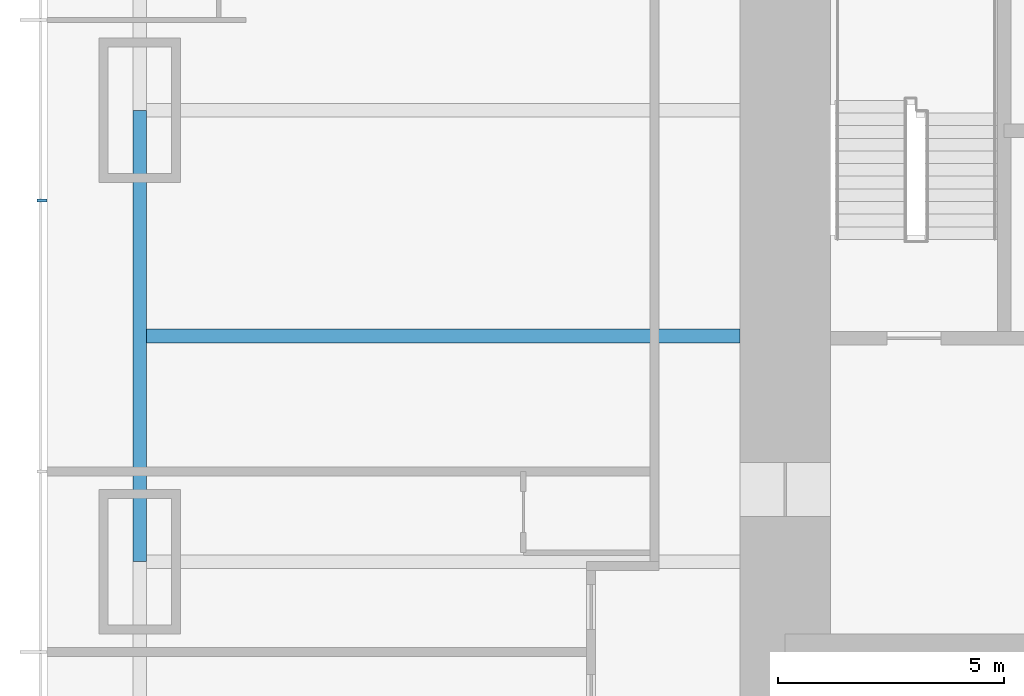
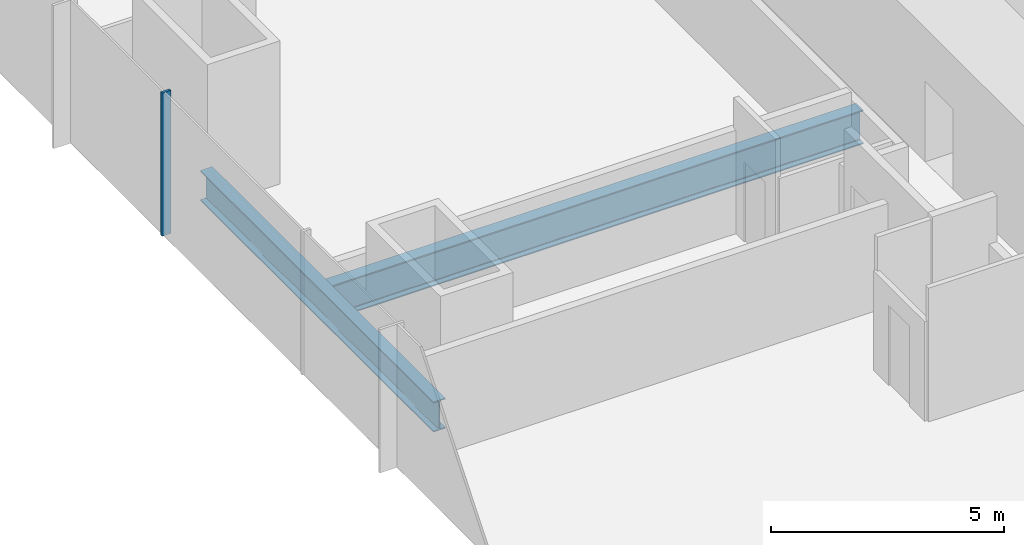
# One storey, part 3 of 20: 2 beams, 1 member, 1 element without a shape of its own.
"""IFC4 building model written with IfcOpenShell, lengths in metres."""

from ifc_helpers import new_model, si_unit, direction, frame, origin, origin_2d, place, context, subcontext, project, spatial, rectangle, i_section, extrude, material, material_profile, profile_set, type_object, element, aggregate, save


model = new_model("IFC4")

# Units and contexts
model_context = context("Model", 3, precision=1e-05, world=origin(), true_north=direction((0.0, 1.0)))
body_context = subcontext(model_context, "Body", "Model", "MODEL_VIEW")
ifc_project = project(units=[si_unit("LENGTHUNIT", "METRE"), si_unit("AREAUNIT", "SQUARE_METRE"), si_unit("VOLUMEUNIT", "CUBIC_METRE"), si_unit("PLANEANGLEUNIT", "RADIAN"), si_unit("MASSUNIT", "GRAM", prefix="KILO")], contexts=[model_context])

# Site, building, storey
site_placement = place(None, origin())
site = spatial("IfcSite", under=ifc_project, at=site_placement, CompositionType="ELEMENT")
building_placement = place(site_placement, origin())
building = spatial("IfcBuilding", under=site, at=building_placement, Name="Khuree Lantern Residences", CompositionType="ELEMENT")
storey_placement = place(building_placement, frame((0.0, 0.0, 28.5)))
storey = spatial("IfcBuildingStorey", under=building, at=storey_placement, Name="L06", CompositionType="ELEMENT", Elevation=28.5)

# Beams
ifc_material_1 = material(Name="Steel S355", Category="steel")
ifc_material_profile_1 = material_profile(ifc_material_1, i_section(OverallWidth=0.300048828125, OverallDepth=0.889892578125, WebThickness=0.01611328125, FlangeThickness=0.030029296875, FilletRadius=0.030029296875, at=origin_2d()), Name="HE 900 A")
ifc_profile_set_1 = profile_set([ifc_material_profile_1], Name="Steel S355")
beam_type_1 = type_object("IfcBeamType", Name="B-11 SECONDARY BEAM HE 900 A", PredefinedType="BEAM", material=ifc_profile_set_1)
beam_1_placement = place(storey_placement, frame((-29.800048828125, -5.0, -0.695068359375), z_axis=(1.0, 0.0, 0.0), x_axis=(0.0, 1.0, 0.0)))
element("IfcBeam", 1, at=beam_1_placement, inside=storey, type_object=beam_type_1, Name="Secondary beam W3", PredefinedType="BEAM", context=body_context, shape_type="SweptSolid", body=[
    extrude(i_section(OverallWidth=0.300048828125, OverallDepth=0.889892578125, WebThickness=0.01611328125, FlangeThickness=0.030029296875, FilletRadius=0.030029296875, at=origin_2d()), origin(), (0.0, 0.0, 1.0), 13.300048828125),
])
ifc_material_profile_2 = material_profile(ifc_material_1, i_section(OverallWidth=0.300048828125, OverallDepth=0.7900390625, WebThickness=0.014892578125, FlangeThickness=0.028076171875, FilletRadius=0.030029296875, at=origin_2d()), Name="HE 800 A")
ifc_profile_set_2 = profile_set([ifc_material_profile_2], Name="Steel S355")
beam_type_2 = type_object("IfcBeamType", Name="E-11 SPANDREL BEAM HE 800 A", PredefinedType="SPANDREL", material=ifc_profile_set_2)
beam_2_placement = place(storey_placement, frame((-29.800048828125, -10.0, -0.64501953125), z_axis=(0.0, 1.0, 0.0), x_axis=(-1.0, 0.0, 0.0)))
element("IfcBeam", 2, at=beam_2_placement, inside=storey, type_object=beam_type_2, Name="Spandrel beam W3", PredefinedType="SPANDREL", context=body_context, shape_type="SweptSolid", body=[
    extrude(i_section(OverallWidth=0.300048828125, OverallDepth=0.7900390625, WebThickness=0.014892578125, FlangeThickness=0.028076171875, FilletRadius=0.030029296875, at=origin_2d()), origin(), (0.0, 0.0, 1.0), 10.0),
])

# Curtain wall, member
ifc_material_2 = material(Name="Bronze anodised aluminium", Category="aluminium")
curtain_wall_type = type_object("IfcCurtainWallType", Name="CW-T1 TOWER FACE CURTAIN WALL", PredefinedType="USERDEFINED", material=ifc_material_2)
curtain_wall_placement = place(storey_placement, origin())
curtain_wall = element("IfcCurtainWall", 3, at=curtain_wall_placement, inside=storey, type_object=curtain_wall_type, Name="L06 WEST FACE CURTAIN WALL", ObjectType="Stick-built curtain wall", PredefinedType="USERDEFINED")
ifc_material_profile_3 = material_profile(ifc_material_2, rectangle(XDim=0.06494140625, YDim=0.219970703125, at=origin_2d()), Name="M1 65X220")
ifc_profile_set_3 = profile_set([ifc_material_profile_3], Name="Bronze anodised aluminium")
member_type = type_object("IfcMemberType", Name="M1 BRONZE MULLION TOWER 65X220", PredefinedType="MULLION", material=ifc_profile_set_3)
member_placement = place(storey_placement, frame((-31.9599609375, -2.0, 0.0), z_axis=(0.0, 0.0, 1.0), x_axis=(0.0, -1.0, 0.0)))
member = element("IfcMember", 4, at=member_placement, type_object=member_type, Name="L06 WEST FACE MULLION 38", PredefinedType="MULLION", context=body_context, shape_type="SweptSolid", body=[
    extrude(rectangle(XDim=0.06494140625, YDim=0.219970703125, at=origin_2d()), origin(), (0.0, 0.0, 1.0), 3.75),
])
aggregate(curtain_wall, [member])

save(model, "model.ifc")
